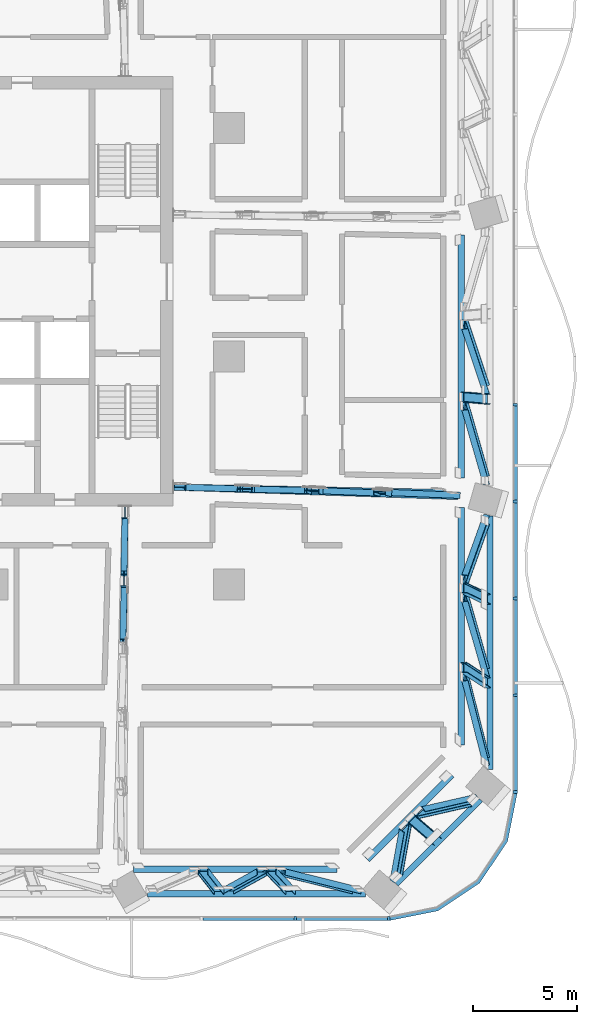
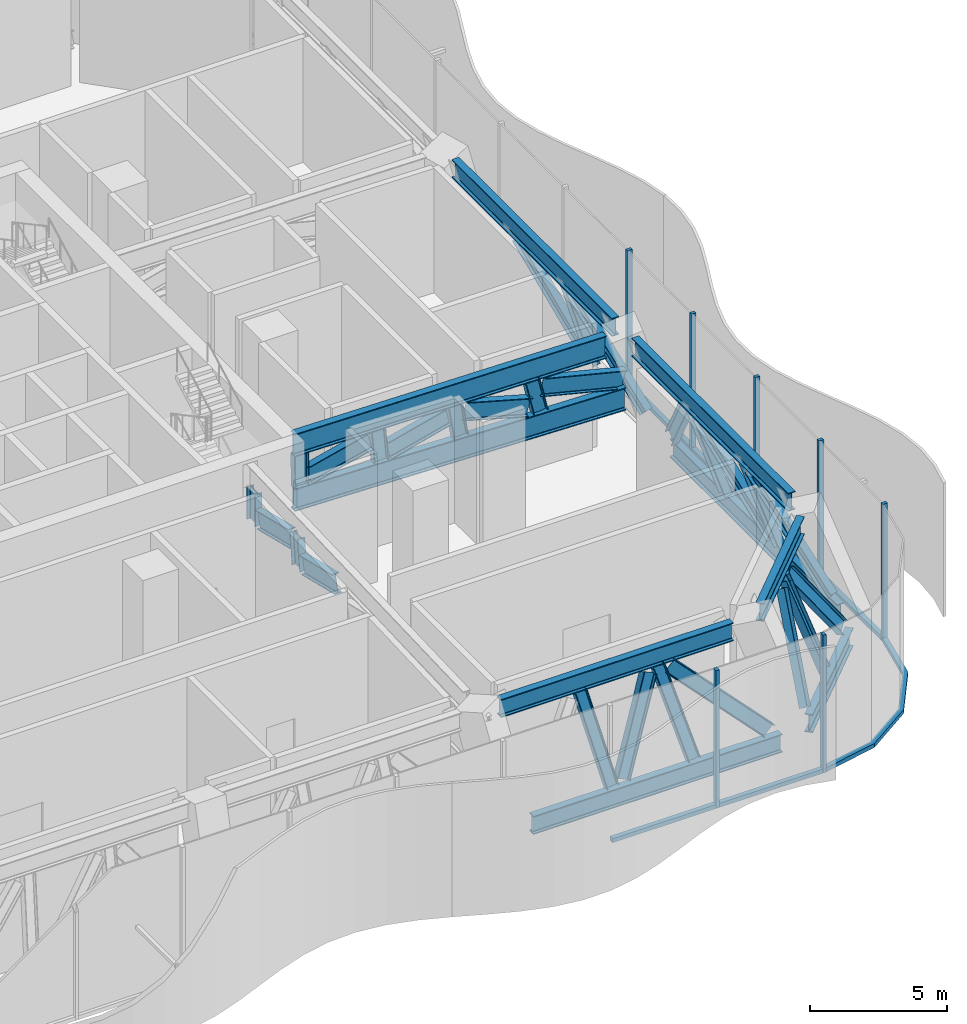
# One storey, part 4 of 32: 50 members, 3 elements without a shape of their own.
"""IFC4 building model written with IfcOpenShell, lengths in metres."""

from ifc_helpers import new_model, si_unit, direction, frame, origin, origin_2d, place, context, subcontext, project, spatial, polyline, rectangle, i_section, outline, extrude, material, material_profile, profile_set, type_object, element, aggregate, save


model = new_model("IFC4")

# Units and contexts
model_context = context("Model", 3, precision=1e-05, world=origin(), true_north=direction((0.0, 1.0)))
body_context = subcontext(model_context, "Body", "Model", "MODEL_VIEW")
ifc_project = project(units=[si_unit("LENGTHUNIT", "METRE"), si_unit("AREAUNIT", "SQUARE_METRE"), si_unit("VOLUMEUNIT", "CUBIC_METRE"), si_unit("PLANEANGLEUNIT", "RADIAN"), si_unit("MASSUNIT", "GRAM", prefix="KILO")], contexts=[model_context])

# Site, building, storey
site_placement = place(None, origin())
site = spatial("IfcSite", under=ifc_project, at=site_placement, CompositionType="ELEMENT")
building_placement = place(site_placement, origin())
building = spatial("IfcBuilding", under=site, at=building_placement, Name="Mopane Tessera Tower", CompositionType="ELEMENT")
storey_placement = place(building_placement, frame((0.0, 0.0, 88.60009765625)))
storey = spatial("IfcBuildingStorey", under=building, at=storey_placement, Name="L17", CompositionType="ELEMENT", Elevation=88.60009765625)

# Curtain wall, members
ifc_material_1 = material(Name="Aluminium frame", Category="aluminium")
curtain_wall_type = type_object("IfcCurtainWallType", Name="Plant floor unitised wall", PredefinedType="NOTDEFINED", material=ifc_material_1)
curtain_wall_1_placement = place(storey_placement, origin())
curtain_wall_1 = element("IfcCurtainWall", 1, at=curtain_wall_1_placement, inside=storey, type_object=curtain_wall_type, Name="e:cw:L17:S:0", PredefinedType="NOTDEFINED")
ifc_material_2 = material(Name="Aluminium frame", Category="aluminium")
ifc_material_profile_1 = material_profile(ifc_material_2, rectangle(XDim=0.139892578125, YDim=0.199951171875, at=origin_2d()))
ifc_profile_set_1 = profile_set([ifc_material_profile_1], Name="Aluminium frame")
member_type_1 = type_object("IfcMemberType", Name="Aluminium mullion 140 x 200", PredefinedType="MULLION", material=ifc_profile_set_1)
member_1_placement = place(storey_placement, frame((20.291015625, -27.10009765625, -0.60009765625), z_axis=(0.0, 0.0, 1.0), x_axis=(1.0, 0.0, 0.0)))
member_1 = element("IfcMember", 2, at=member_1_placement, type_object=member_type_1, Name="e:cw:L17:S:0:mu10", PredefinedType="MULLION", context=body_context, shape_type="SweptSolid", body=[
    extrude(rectangle(XDim=0.139892578125, YDim=0.199951171875, at=origin_2d()), origin(), (0.0, 0.0, 1.0), 6.14990234375),
])
member_2_placement = place(storey_placement, frame((24.800048828125, -27.10009765625, -0.60009765625), z_axis=(0.0, 0.0, 1.0), x_axis=(1.0, 0.0, 0.0)))
member_2 = element("IfcMember", 3, at=member_2_placement, type_object=member_type_1, Name="e:cw:L17:S:0:mu11", PredefinedType="MULLION", context=body_context, shape_type="SweptSolid", body=[
    extrude(rectangle(XDim=0.139892578125, YDim=0.199951171875, at=origin_2d()), origin(), (0.0, 0.0, 1.0), 6.14990234375),
])

curtain_wall_2_placement = place(storey_placement, origin())
curtain_wall_2 = element("IfcCurtainWall", 4, at=curtain_wall_2_placement, inside=storey, type_object=curtain_wall_type, Name="e:cw:L17:E:0", PredefinedType="NOTDEFINED")
member_3_placement = place(storey_placement, frame((30.89990234375, -21.0, -0.60009765625), z_axis=(0.0, 0.0, 1.0), x_axis=(0.0, 1.0, 0.0)))
member_3 = element("IfcMember", 5, at=member_3_placement, type_object=member_type_1, Name="e:cw:L17:E:0:mu0", PredefinedType="MULLION", context=body_context, shape_type="SweptSolid", body=[
    extrude(rectangle(XDim=0.139892578125, YDim=0.199951171875, at=origin_2d()), origin(), (0.0, 0.0, 1.0), 6.14990234375),
])
member_4_placement = place(storey_placement, frame((30.89990234375, -16.333251953125, -0.60009765625), z_axis=(0.0, 0.0, 1.0), x_axis=(0.0, 1.0, 0.0)))
member_4 = element("IfcMember", 6, at=member_4_placement, type_object=member_type_1, Name="e:cw:L17:E:0:mu1", PredefinedType="MULLION", context=body_context, shape_type="SweptSolid", body=[
    extrude(rectangle(XDim=0.139892578125, YDim=0.199951171875, at=origin_2d()), origin(), (0.0, 0.0, 1.0), 6.14990234375),
])
member_5_placement = place(storey_placement, frame((30.89990234375, -11.666748046875, -0.60009765625), z_axis=(0.0, 0.0, 1.0), x_axis=(0.0, 1.0, 0.0)))
member_5 = element("IfcMember", 7, at=member_5_placement, type_object=member_type_1, Name="e:cw:L17:E:0:mu2", PredefinedType="MULLION", context=body_context, shape_type="SweptSolid", body=[
    extrude(rectangle(XDim=0.139892578125, YDim=0.199951171875, at=origin_2d()), origin(), (0.0, 0.0, 1.0), 6.14990234375),
])
member_6_placement = place(storey_placement, frame((30.89990234375, -7.0, -0.60009765625), z_axis=(0.0, 0.0, 1.0), x_axis=(0.0, 1.0, 0.0)))
member_6 = element("IfcMember", 8, at=member_6_placement, type_object=member_type_1, Name="e:cw:L17:E:0:mu3", PredefinedType="MULLION", context=body_context, shape_type="SweptSolid", body=[
    extrude(rectangle(XDim=0.139892578125, YDim=0.199951171875, at=origin_2d()), origin(), (0.0, 0.0, 1.0), 6.14990234375),
])
member_7_placement = place(storey_placement, frame((30.89990234375, -2.333251953125, -0.60009765625), z_axis=(0.0, 0.0, 1.0), x_axis=(0.0, 1.0, 0.0)))
member_7 = element("IfcMember", 9, at=member_7_placement, type_object=member_type_1, Name="e:cw:L17:E:0:mu4", PredefinedType="MULLION", context=body_context, shape_type="SweptSolid", body=[
    extrude(rectangle(XDim=0.139892578125, YDim=0.199951171875, at=origin_2d()), origin(), (0.0, 0.0, 1.0), 6.14990234375),
])

# Member
ifc_material_3 = material(Name="Aluminium frame", Category="aluminium")
ifc_material_profile_2 = material_profile(ifc_material_3, rectangle(XDim=0.199951171875, YDim=0.179931640625, at=origin_2d()))
ifc_profile_set_2 = profile_set([ifc_material_profile_2], Name="Aluminium frame")
member_type_2 = type_object("IfcMemberType", Name="Aluminium transom 200 x 180", PredefinedType="USERDEFINED", material=ifc_profile_set_2)
member_8_placement = place(storey_placement, frame((15.851806640625, -27.10009765625, -0.510009765625), z_axis=(1.0, 0.0, 0.0), x_axis=(0.0, 1.0, 0.0)))
member_8 = element("IfcMember", 10, at=member_8_placement, type_object=member_type_2, Name="e:cw:L17:S:0:tr9", ObjectType="TRANSOM", PredefinedType="USERDEFINED", context=body_context, shape_type="SweptSolid", body=[
    extrude(rectangle(XDim=0.199951171875, YDim=0.179931640625, at=origin_2d()), origin(), (0.0, 0.0, 1.0), 4.369140625),
])

member_9_placement = place(storey_placement, frame((20.36083984375, -27.10009765625, -0.510009765625), z_axis=(1.0, 0.0, 0.0), x_axis=(0.0, 1.0, 0.0)))
member_9 = element("IfcMember", 11, at=member_9_placement, type_object=member_type_2, Name="e:cw:L17:S:0:tr10", ObjectType="TRANSOM", PredefinedType="USERDEFINED", context=body_context, shape_type="SweptSolid", body=[
    extrude(rectangle(XDim=0.199951171875, YDim=0.179931640625, at=origin_2d()), origin(), (0.0, 0.0, 1.0), 4.369140625),
])

aggregate(curtain_wall_1, [member_1, member_2, member_8, member_9])

# Curtain wall, member
curtain_wall_3_placement = place(storey_placement, origin())
curtain_wall_3 = element("IfcCurtainWall", 12, at=curtain_wall_3_placement, inside=storey, type_object=curtain_wall_type, Name="e:cw:L17:CS", PredefinedType="NOTDEFINED")
member_10_placement = place(storey_placement, frame((0.0, 0.0, -0.60009765625)))
member_10 = element("IfcMember", 13, at=member_10_placement, type_object=member_type_2, Name="e:cw:L17:CS:tr", ObjectType="TRANSOM", PredefinedType="USERDEFINED", context=body_context, shape_type="SweptSolid", body=[
    extrude(outline(polyline([(24.800048828125, -27.0), (27.09619140625, -26.543212890625), (29.042724609375, -25.24267578125), (30.34326171875, -23.296142578125), (30.800048828125, -21.0), (31.0, -21.0), (30.528076171875, -23.37255859375), (29.18408203125, -25.384033203125), (27.172607421875, -26.72802734375), (24.800048828125, -27.199951171875), (24.800048828125, -27.0)])), origin(), (0.0, 0.0, 1.0), 0.179931640625),
])
aggregate(curtain_wall_3, [member_10])

# Member
member_11_placement = place(storey_placement, frame((30.89990234375, -20.929931640625, -0.510009765625), z_axis=(0.0, 1.0, 0.0), x_axis=(-1.0, 0.0, 0.0)))
member_11 = element("IfcMember", 14, at=member_11_placement, type_object=member_type_2, Name="e:cw:L17:E:0:tr0", ObjectType="TRANSOM", PredefinedType="USERDEFINED", context=body_context, shape_type="SweptSolid", body=[
    extrude(rectangle(XDim=0.199951171875, YDim=0.179931640625, at=origin_2d()), origin(), (0.0, 0.0, 1.0), 4.526611328125),
])

member_12_placement = place(storey_placement, frame((30.89990234375, -16.263427734375, -0.510009765625), z_axis=(0.0, 1.0, 0.0), x_axis=(-1.0, 0.0, 0.0)))
member_12 = element("IfcMember", 15, at=member_12_placement, type_object=member_type_2, Name="e:cw:L17:E:0:tr1", ObjectType="TRANSOM", PredefinedType="USERDEFINED", context=body_context, shape_type="SweptSolid", body=[
    extrude(rectangle(XDim=0.199951171875, YDim=0.179931640625, at=origin_2d()), origin(), (0.0, 0.0, 1.0), 4.52685546875),
])

member_13_placement = place(storey_placement, frame((30.89990234375, -11.5966796875, -0.510009765625), z_axis=(0.0, 1.0, 0.0), x_axis=(-1.0, 0.0, 0.0)))
member_13 = element("IfcMember", 16, at=member_13_placement, type_object=member_type_2, Name="e:cw:L17:E:0:tr2", ObjectType="TRANSOM", PredefinedType="USERDEFINED", context=body_context, shape_type="SweptSolid", body=[
    extrude(rectangle(XDim=0.199951171875, YDim=0.179931640625, at=origin_2d()), origin(), (0.0, 0.0, 1.0), 4.526611328125),
])

member_14_placement = place(storey_placement, frame((30.89990234375, -6.929931640625, -0.510009765625), z_axis=(0.0, 1.0, 0.0), x_axis=(-1.0, 0.0, 0.0)))
member_14 = element("IfcMember", 17, at=member_14_placement, type_object=member_type_2, Name="e:cw:L17:E:0:tr3", ObjectType="TRANSOM", PredefinedType="USERDEFINED", context=body_context, shape_type="SweptSolid", body=[
    extrude(rectangle(XDim=0.199951171875, YDim=0.179931640625, at=origin_2d()), origin(), (0.0, 0.0, 1.0), 4.526611328125),
])

aggregate(curtain_wall_2, [member_3, member_4, member_5, member_6, member_7, member_11, member_12, member_13, member_14])

# Members
ifc_material_4 = material(Name="Structural steel S460", Category="steel")
ifc_material_profile_3 = material_profile(ifc_material_4, i_section(OverallWidth=0.302978515625, OverallDepth=0.81396484375, WebThickness=0.02099609375, FlangeThickness=0.0400390625, FilletRadius=0.030029296875, at=origin_2d()))
ifc_profile_set_3 = profile_set([ifc_material_profile_3], Name="Structural steel S460")
member_type_3 = type_object("IfcMemberType", Name="Belt truss chord HE 800 M", PredefinedType="CHORD", material=ifc_profile_set_3)
member_15_placement = place(storey_placement, frame((13.180908203125, -25.898193359375, 0.406982421875), z_axis=(1.0, 0.0, 0.0), x_axis=(0.0, 1.0, 0.0)))
element("IfcMember", 18, at=member_15_placement, inside=storey, type_object=member_type_3, Name="Belt truss bottom chord L17 S3-S4", PredefinedType="CHORD", context=body_context, shape_type="SweptSolid", body=[
    extrude(i_section(OverallWidth=0.302978515625, OverallDepth=0.81396484375, WebThickness=0.02099609375, FlangeThickness=0.0400390625, FilletRadius=0.030029296875, at=origin_2d()), origin(), (0.0, 0.0, 1.0), 10.508056640625),
])
member_16_placement = place(storey_placement, frame((12.490234375, -24.71435546875, 5.142822265625), z_axis=(1.0, 0.0, 0.0), x_axis=(0.0, 1.0, 0.0)))
element("IfcMember", 19, at=member_16_placement, inside=storey, type_object=member_type_3, Name="Belt truss top chord L17 S3-S4", PredefinedType="CHORD", context=body_context, shape_type="SweptSolid", body=[
    extrude(i_section(OverallWidth=0.302978515625, OverallDepth=0.81396484375, WebThickness=0.02099609375, FlangeThickness=0.0400390625, FilletRadius=0.030029296875, at=origin_2d()), origin(), (0.0, 0.0, 1.0), 9.8173828125),
])
for number, where, z_axis, x_axis, name in (
    (20, (25.150146484375, -25.429443359375, 0.406982421875), (0.707106781187, 0.707106781187, 0.0), (-0.707106781187, 0.707106781187, 0.0), "Belt truss bottom chord L17 S4-E0"),
    (21, (23.768798828125, -24.245361328125, 5.142822265625), (0.707106781187, 0.707106781187, 0.0), (-0.707106781187, 0.707106781187, 0.0), "Belt truss top chord L17 S4-E0"),
):
    element("IfcMember", number, at=place(storey_placement, frame(where, z_axis=z_axis, x_axis=x_axis)), inside=storey, type_object=member_type_3, Name=name, PredefinedType="CHORD", context=body_context, shape_type="SweptSolid", body=[
        extrude(i_section(OverallWidth=0.302978515625, OverallDepth=0.81396484375, WebThickness=0.02099609375, FlangeThickness=0.0400390625, FilletRadius=0.030029296875, at=origin_2d()), origin(), (0.0, 0.0, 1.0), 5.744873046875),
    ])
member_17_placement = place(storey_placement, frame((29.681396484375, -19.912841796875, 0.406982421875), z_axis=(0.0, 1.0, 0.0), x_axis=(-1.0, 0.0, 0.0)))
element("IfcMember", 22, at=member_17_placement, inside=storey, type_object=member_type_3, Name="Belt truss bottom chord L17 E0-E1", PredefinedType="CHORD", context=body_context, shape_type="SweptSolid", body=[
    extrude(i_section(OverallWidth=0.302978515625, OverallDepth=0.81396484375, WebThickness=0.02099609375, FlangeThickness=0.0400390625, FilletRadius=0.030029296875, at=origin_2d()), origin(), (0.0, 0.0, 1.0), 12.22802734375),
])
member_18_placement = place(storey_placement, frame((28.300048828125, -18.72900390625, 5.142822265625), z_axis=(0.0, 1.0, 0.0), x_axis=(-1.0, 0.0, 0.0)))
element("IfcMember", 23, at=member_18_placement, inside=storey, type_object=member_type_3, Name="Belt truss top chord L17 E0-E1", PredefinedType="CHORD", context=body_context, shape_type="SweptSolid", body=[
    extrude(i_section(OverallWidth=0.302978515625, OverallDepth=0.81396484375, WebThickness=0.02099609375, FlangeThickness=0.0400390625, FilletRadius=0.030029296875, at=origin_2d()), origin(), (0.0, 0.0, 1.0), 11.438720703125),
])
member_19_placement = place(storey_placement, frame((28.300048828125, -5.8525390625, 5.142822265625), z_axis=(0.0, 1.0, 0.0), x_axis=(-1.0, 0.0, 0.0)))
element("IfcMember", 24, at=member_19_placement, inside=storey, type_object=member_type_3, Name="Belt truss top chord L17 E1-E2", PredefinedType="CHORD", context=body_context, shape_type="SweptSolid", body=[
    extrude(i_section(OverallWidth=0.302978515625, OverallDepth=0.81396484375, WebThickness=0.02099609375, FlangeThickness=0.0400390625, FilletRadius=0.030029296875, at=origin_2d()), origin(), (0.0, 0.0, 1.0), 11.705078125),
])
ifc_material_5 = material(Name="Structural steel S460", Category="steel")
ifc_material_profile_4 = material_profile(ifc_material_5, i_section(OverallWidth=0.300048828125, OverallDepth=0.60009765625, WebThickness=0.015380859375, FlangeThickness=0.030029296875, FilletRadius=0.027099609375, at=origin_2d()))
ifc_profile_set_4 = profile_set([ifc_material_profile_4], Name="Structural steel S460")
member_type_4 = type_object("IfcMemberType", Name="Belt truss diagonal HE 600 B", PredefinedType="BRACE", material=ifc_profile_set_4)
member_20_placement = place(storey_placement, frame((17.060791015625, -25.76220703125, 0.950927734375), z_axis=(0.402501298803, 0.221993849827, 0.888094271517), x_axis=(-0.091567308749, 0.975048062756, -0.202229333392)))
element("IfcMember", 25, at=member_20_placement, inside=storey, type_object=member_type_4, Name="Belt truss diagonal 1 L17 S3-S4", PredefinedType="BRACE", context=body_context, shape_type="SweptSolid", body=[
    extrude(i_section(OverallWidth=0.300048828125, OverallDepth=0.60009765625, WebThickness=0.015380859375, FlangeThickness=0.030029296875, FilletRadius=0.027099609375, at=origin_2d()), origin(), (0.0, 0.0, 1.0), 4.107666015625),
])
member_21_placement = place(storey_placement, frame((19.6083984375, -24.853759765625, 4.5849609375), z_axis=(0.699650362609, -0.173288160232, -0.693152640928), x_axis=(0.123111197199, 0.984871165894, -0.121952530583)))
element("IfcMember", 26, at=member_21_placement, inside=storey, type_object=member_type_4, Name="Belt truss diagonal 2 L17 S3-S4", PredefinedType="BRACE", context=body_context, shape_type="SweptSolid", body=[
    extrude(i_section(OverallWidth=0.300048828125, OverallDepth=0.60009765625, WebThickness=0.015380859375, FlangeThickness=0.030029296875, FilletRadius=0.027099609375, at=origin_2d()), origin(), (0.0, 0.0, 1.0), 5.22265625),
])
member_22_placement = place(storey_placement, frame((25.1669921875, -25.129638671875, 0.929443359375), z_axis=(0.098851267283, 0.548569616047, 0.830240810432), x_axis=(-0.778985844771, 0.561817424332, -0.278464064761)))
element("IfcMember", 27, at=member_22_placement, inside=storey, type_object=member_type_4, Name="Belt truss diagonal 0 L17 S4-E0", PredefinedType="BRACE", context=body_context, shape_type="SweptSolid", body=[
    extrude(i_section(OverallWidth=0.300048828125, OverallDepth=0.60009765625, WebThickness=0.015380859375, FlangeThickness=0.030029296875, FilletRadius=0.027099609375, at=origin_2d()), origin(), (0.0, 0.0, 1.0), 4.445556640625),
])
member_23_placement = place(storey_placement, frame((26.29833984375, -21.9990234375, 4.620361328125), z_axis=(0.569875535143, 0.130407528995, -0.811317293558), x_axis=(-0.557621124298, 0.786576730003, -0.265246544848)))
element("IfcMember", 28, at=member_23_placement, inside=storey, type_object=member_type_4, Name="Belt truss diagonal 1 L17 S4-E0", PredefinedType="BRACE", context=body_context, shape_type="SweptSolid", body=[
    extrude(i_section(OverallWidth=0.300048828125, OverallDepth=0.60009765625, WebThickness=0.015380859375, FlangeThickness=0.030029296875, FilletRadius=0.027099609375, at=origin_2d()), origin(), (0.0, 0.0, 1.0), 4.54931640625),
])
member_24_placement = place(storey_placement, frame((29.5107421875, -19.527099609375, 0.991943359375), z_axis=(-0.188412877586, 0.739719572213, 0.645999645545), x_axis=(-0.982089908077, -0.141916811889, -0.12393155755)))
element("IfcMember", 29, at=member_24_placement, inside=storey, type_object=member_type_4, Name="Belt truss diagonal 0 L17 E0-E1", PredefinedType="BRACE", context=body_context, shape_type="SweptSolid", body=[
    extrude(i_section(OverallWidth=0.300048828125, OverallDepth=0.60009765625, WebThickness=0.015380859375, FlangeThickness=0.030029296875, FilletRadius=0.027099609375, at=origin_2d()), origin(), (0.0, 0.0, 1.0), 5.52001953125),
])
member_25_placement = place(storey_placement, frame((29.513916015625, -15.257080078125, 0.98095703125), z_axis=(-0.200403719636, 0.698327007177, 0.687151904752), x_axis=(-0.979713401539, -0.142845676318, -0.14055875498)))
element("IfcMember", 30, at=member_25_placement, inside=storey, type_object=member_type_4, Name="Belt truss diagonal 1 L17 E0-E1", PredefinedType="BRACE", context=body_context, shape_type="SweptSolid", body=[
    extrude(i_section(OverallWidth=0.300048828125, OverallDepth=0.60009765625, WebThickness=0.015380859375, FlangeThickness=0.030029296875, FilletRadius=0.027099609375, at=origin_2d()), origin(), (0.0, 0.0, 1.0), 5.221435546875),
])
member_26_placement = place(storey_placement, frame((28.470703125, -10.768310546875, 4.557861328125), z_axis=(0.220504789335, 0.616274653011, -0.756031209632), x_axis=(-0.975385891778, 0.139320539279, -0.170915620863)))
element("IfcMember", 31, at=member_26_placement, inside=storey, type_object=member_type_4, Name="Belt truss diagonal 2 L17 E0-E1", PredefinedType="BRACE", context=body_context, shape_type="SweptSolid", body=[
    extrude(i_section(OverallWidth=0.300048828125, OverallDepth=0.60009765625, WebThickness=0.015380859375, FlangeThickness=0.030029296875, FilletRadius=0.027099609375, at=origin_2d()), origin(), (0.0, 0.0, 1.0), 4.716552734375),
])
member_27_placement = place(storey_placement, frame((29.509521484375, -5.9765625, 0.995849609375), z_axis=(-0.200932231115, 0.696479987173, 0.688869992064), x_axis=(-0.979605144172, -0.14286116767, -0.141295606028)))
element("IfcMember", 32, at=member_27_placement, inside=storey, type_object=member_type_4, Name="Belt truss diagonal 0 L17 E1-E2", PredefinedType="BRACE", context=body_context, shape_type="SweptSolid", body=[
    extrude(i_section(OverallWidth=0.300048828125, OverallDepth=0.60009765625, WebThickness=0.015380859375, FlangeThickness=0.030029296875, FilletRadius=0.027099609375, at=origin_2d()), origin(), (0.0, 0.0, 1.0), 5.1650390625),
])
member_28_placement = place(storey_placement, frame((29.5126953125, -1.611572265625, 0.9853515625), z_axis=(-0.213786995465, 0.645810715722, 0.732955414762), x_axis=(-0.976880299996, -0.141328138786, -0.160409590319)))
element("IfcMember", 33, at=member_28_placement, inside=storey, type_object=member_type_4, Name="Belt truss diagonal 1 L17 E1-E2", PredefinedType="BRACE", context=body_context, shape_type="SweptSolid", body=[
    extrude(i_section(OverallWidth=0.300048828125, OverallDepth=0.60009765625, WebThickness=0.015380859375, FlangeThickness=0.030029296875, FilletRadius=0.027099609375, at=origin_2d()), origin(), (0.0, 0.0, 1.0), 4.883056640625),
])
ifc_material_6 = material(Name="Structural steel S460", Category="steel")
ifc_material_profile_5 = material_profile(ifc_material_6, i_section(OverallWidth=0.300048828125, OverallDepth=0.5, WebThickness=0.014404296875, FlangeThickness=0.028076171875, FilletRadius=0.027099609375, at=origin_2d()))
ifc_profile_set_5 = profile_set([ifc_material_profile_5], Name="Structural steel S460")
member_type_5 = type_object("IfcMemberType", Name="Belt truss post HE 500 B", PredefinedType="POST", material=ifc_profile_set_5)
member_29_placement = place(storey_placement, frame((16.61669921875, -25.79638671875, 0.81396484375), z_axis=(-0.187971798215, 0.238212288303, 0.952849153212), x_axis=(0.046211648461, 0.971213104539, -0.233686946829)))
element("IfcMember", 34, at=member_29_placement, inside=storey, type_object=member_type_5, Name="Belt truss post 1 L17 S3-S4", PredefinedType="POST", context=body_context, shape_type="SweptSolid", body=[
    extrude(i_section(OverallWidth=0.300048828125, OverallDepth=0.5, WebThickness=0.014404296875, FlangeThickness=0.028076171875, FilletRadius=0.027099609375, at=origin_2d()), origin(), (0.0, 0.0, 1.0), 4.115966796875),
])
member_30_placement = place(storey_placement, frame((20.066650390625, -25.79638671875, 0.81396484375), z_axis=(-0.225241193475, 0.236303195662, 0.945212782648), x_axis=(0.054739580111, 0.971679370141, -0.229875575064)))
element("IfcMember", 35, at=member_30_placement, inside=storey, type_object=member_type_5, Name="Belt truss post 2 L17 S3-S4", PredefinedType="POST", context=body_context, shape_type="SweptSolid", body=[
    extrude(i_section(OverallWidth=0.300048828125, OverallDepth=0.5, WebThickness=0.014404296875, FlangeThickness=0.028076171875, FilletRadius=0.027099609375, at=origin_2d()), origin(), (0.0, 0.0, 1.0), 4.149169921875),
])
member_31_placement = place(storey_placement, frame((27.062744140625, -23.29638671875, 0.81396484375), z_axis=(-0.272304312677, 0.233370490762, 0.933481963049), x_axis=(-0.652958739666, 0.667758104727, -0.357412923472)))
element("IfcMember", 36, at=member_31_placement, inside=storey, type_object=member_type_5, Name="Belt truss post 1 L17 S4-E0", PredefinedType="POST", context=body_context, shape_type="SweptSolid", body=[
    extrude(i_section(OverallWidth=0.300048828125, OverallDepth=0.5, WebThickness=0.014404296875, FlangeThickness=0.028076171875, FilletRadius=0.027099609375, at=origin_2d()), origin(), (0.0, 0.0, 1.0), 4.201416015625),
])
member_32_placement = place(storey_placement, frame((29.562744140625, -15.73486328125, 0.81396484375), z_axis=(-0.275529715303, 0.178688605379, 0.944538913065), x_axis=(-0.961292554793, -0.051207070691, -0.270729496012)))
element("IfcMember", 37, at=member_32_placement, inside=storey, type_object=member_type_5, Name="Belt truss post 1 L17 E0-E1", PredefinedType="POST", context=body_context, shape_type="SweptSolid", body=[
    extrude(i_section(OverallWidth=0.300048828125, OverallDepth=0.5, WebThickness=0.014404296875, FlangeThickness=0.028076171875, FilletRadius=0.027099609375, at=origin_2d()), origin(), (0.0, 0.0, 1.0), 4.152099609375),
])
member_33_placement = place(storey_placement, frame((29.562744140625, -11.712646484375, 0.81396484375), z_axis=(-0.277512695679, 0.133959393433, 0.951336735677), x_axis=(-0.96072196985, -0.038715535567, -0.274798842708)))
element("IfcMember", 38, at=member_33_placement, inside=storey, type_object=member_type_5, Name="Belt truss post 2 L17 E0-E1", PredefinedType="POST", context=body_context, shape_type="SweptSolid", body=[
    extrude(i_section(OverallWidth=0.300048828125, OverallDepth=0.5, WebThickness=0.014404296875, FlangeThickness=0.028076171875, FilletRadius=0.027099609375, at=origin_2d()), origin(), (0.0, 0.0, 1.0), 4.12255859375),
])
member_34_placement = place(storey_placement, frame((29.562744140625, -2.057861328125, 0.81396484375), z_axis=(-0.279957937948, 0.023718160769, 0.959719230728), x_axis=(-0.960012261999, -0.007019712455, -0.279869934878)))
element("IfcMember", 39, at=member_34_placement, inside=storey, type_object=member_type_5, Name="Belt truss post 1 L17 E1-E2", PredefinedType="POST", context=body_context, shape_type="SweptSolid", body=[
    extrude(i_section(OverallWidth=0.300048828125, OverallDepth=0.5, WebThickness=0.014404296875, FlangeThickness=0.028076171875, FilletRadius=0.027099609375, at=origin_2d()), origin(), (0.0, 0.0, 1.0), 4.08642578125),
])
ifc_material_7 = material(Name="Structural steel S460", Category="steel")
ifc_material_profile_6 = material_profile(ifc_material_7, i_section(OverallWidth=0.302001953125, OverallDepth=1.008056640625, WebThickness=0.02099609375, FlangeThickness=0.0400390625, FilletRadius=0.030029296875, at=origin_2d()))
ifc_profile_set_6 = profile_set([ifc_material_profile_6], Name="Structural steel S460")
member_type_6 = type_object("IfcMemberType", Name="Outrigger truss chord HE 1000 M", PredefinedType="CHORD", material=ifc_profile_set_6)
member_35_placement = place(storey_placement, frame((14.41943359375, -6.300537109375, 2.60400390625), z_axis=(0.999456173997, -0.032975085422, 0.0), x_axis=(0.032975085422, 0.999456173997, 0.0)))
element("IfcMember", 40, at=member_35_placement, inside=storey, type_object=member_type_6, Name="Outrigger truss bottom chord L17 E1", PredefinedType="CHORD", context=body_context, shape_type="SweptSolid", body=[
    extrude(i_section(OverallWidth=0.302001953125, OverallDepth=1.008056640625, WebThickness=0.02099609375, FlangeThickness=0.0400390625, FilletRadius=0.030029296875, at=origin_2d()), origin(), (0.0, 0.0, 1.0), 13.734130859375),
])
member_36_placement = place(storey_placement, frame((14.41943359375, -6.30029296875, 5.0458984375), z_axis=(0.999798504225, -0.02007363818, 0.0), x_axis=(0.02007363818, 0.999798504225, 0.0)))
element("IfcMember", 41, at=member_36_placement, inside=storey, type_object=member_type_6, Name="Outrigger truss top chord L17 E1", PredefinedType="CHORD", context=body_context, shape_type="SweptSolid", body=[
    extrude(i_section(OverallWidth=0.302001953125, OverallDepth=1.008056640625, WebThickness=0.02099609375, FlangeThickness=0.0400390625, FilletRadius=0.030029296875, at=origin_2d()), origin(), (0.0, 0.0, 1.0), 13.013671875),
])
ifc_material_8 = material(Name="Structural steel S460", Category="steel")
ifc_material_profile_7 = material_profile(ifc_material_8, i_section(OverallWidth=0.300048828125, OverallDepth=0.800048828125, WebThickness=0.017578125, FlangeThickness=0.032958984375, FilletRadius=0.030029296875, at=origin_2d()))
ifc_profile_set_7 = profile_set([ifc_material_profile_7], Name="Structural steel S460")
member_type_7 = type_object("IfcMemberType", Name="Outrigger truss diagonal HE 800 B", PredefinedType="BRACE", material=ifc_profile_set_7)
member_37_placement = place(storey_placement, frame((15.06982421875, -6.319091796875, 3.484619140625), z_axis=(0.965418337109, -0.02309925206, 0.259680301385), x_axis=(0.024530494383, 0.999696500777, -0.002271822843)))
element("IfcMember", 42, at=member_37_placement, inside=storey, type_object=member_type_7, Name="Outrigger truss diagonal 0 L17 E1", PredefinedType="BRACE", context=body_context, shape_type="SweptSolid", body=[
    extrude(i_section(OverallWidth=0.300048828125, OverallDepth=0.800048828125, WebThickness=0.017578125, FlangeThickness=0.032958984375, FilletRadius=0.030029296875, at=origin_2d()), origin(), (0.0, 0.0, 1.0), 2.62109375),
])
member_38_placement = place(storey_placement, frame((18.355224609375, -6.41259765625, 3.484619140625), z_axis=(0.964312221975, -0.018473414214, 0.264122455533), x_axis=(0.020118371237, 0.99979139368, -0.003524239258)))
element("IfcMember", 43, at=member_38_placement, inside=storey, type_object=member_type_7, Name="Outrigger truss diagonal 1 L17 E1", PredefinedType="BRACE", context=body_context, shape_type="SweptSolid", body=[
    extrude(i_section(OverallWidth=0.300048828125, OverallDepth=0.800048828125, WebThickness=0.017578125, FlangeThickness=0.032958984375, FilletRadius=0.030029296875, at=origin_2d()), origin(), (0.0, 0.0, 1.0), 2.5771484375),
])
member_39_placement = place(storey_placement, frame((21.540771484375, -6.4775390625, 4.165283203125), z_axis=(0.968457820328, -0.036945821748, -0.246423327834), x_axis=(0.037812500494, 0.999284112271, -0.001215635228)))
element("IfcMember", 44, at=member_39_placement, inside=storey, type_object=member_type_7, Name="Outrigger truss diagonal 2 L17 E1", PredefinedType="BRACE", context=body_context, shape_type="SweptSolid", body=[
    extrude(i_section(OverallWidth=0.300048828125, OverallDepth=0.800048828125, WebThickness=0.017578125, FlangeThickness=0.032958984375, FilletRadius=0.030029296875, at=origin_2d()), origin(), (0.0, 0.0, 1.0), 2.76220703125),
])
member_40_placement = place(storey_placement, frame((24.770263671875, -6.55810546875, 4.161376953125), z_axis=(0.975593418128, -0.040016771548, -0.215907712922), x_axis=(0.040611999871, 0.999173578677, -0.001680815653)))
element("IfcMember", 45, at=member_40_placement, inside=storey, type_object=member_type_7, Name="Outrigger truss diagonal 3 L17 E1", PredefinedType="BRACE", context=body_context, shape_type="SweptSolid", body=[
    extrude(i_section(OverallWidth=0.300048828125, OverallDepth=0.800048828125, WebThickness=0.017578125, FlangeThickness=0.032958984375, FilletRadius=0.030029296875, at=origin_2d()), origin(), (0.0, 0.0, 1.0), 3.471435546875),
])
member_41_placement = place(storey_placement, frame((12.086181640625, -7.868408203125, 3.48486328125), z_axis=(-0.017860030287, -0.96673138298, 0.255169458359), x_axis=(0.999839952201, -0.017535001129, 0.003548763017)))
element("IfcMember", 46, at=member_41_placement, inside=storey, type_object=member_type_7, Name="Outrigger truss diagonal 0 L17 S3", PredefinedType="BRACE", context=body_context, shape_type="SweptSolid", body=[
    extrude(i_section(OverallWidth=0.300048828125, OverallDepth=0.800048828125, WebThickness=0.017578125, FlangeThickness=0.032958984375, FilletRadius=0.030029296875, at=origin_2d()), origin(), (0.0, 0.0, 1.0), 2.66552734375),
])
member_42_placement = place(storey_placement, frame((12.048828125, -11.189453125, 3.48486328125), z_axis=(-0.025011134406, -0.965800323395, 0.258077853537), x_axis=(0.999686621813, -0.024434314123, 0.005442652134)))
element("IfcMember", 47, at=member_42_placement, inside=storey, type_object=member_type_7, Name="Outrigger truss diagonal 1 L17 S3", PredefinedType="BRACE", context=body_context, shape_type="SweptSolid", body=[
    extrude(i_section(OverallWidth=0.300048828125, OverallDepth=0.800048828125, WebThickness=0.017578125, FlangeThickness=0.032958984375, FilletRadius=0.030029296875, at=origin_2d()), origin(), (0.0, 0.0, 1.0), 2.635498046875),
])
ifc_material_9 = material(Name="Structural steel S460", Category="steel")
ifc_material_profile_8 = material_profile(ifc_material_9, i_section(OverallWidth=0.300048828125, OverallDepth=0.60009765625, WebThickness=0.015380859375, FlangeThickness=0.030029296875, FilletRadius=0.027099609375, at=origin_2d()))
ifc_profile_set_8 = profile_set([ifc_material_profile_8], Name="Structural steel S460")
member_type_8 = type_object("IfcMemberType", Name="Outrigger truss post HE 600 B", PredefinedType="POST", material=ifc_profile_set_8)
member_43_placement = place(storey_placement, frame((14.717041015625, -6.3095703125, 3.10791015625), z_axis=(-0.006298810417, 0.001702381194, 0.999978713216), x_axis=(0.018651763548, 0.999824784978, -0.00158463272)))
element("IfcMember", 48, at=member_43_placement, inside=storey, type_object=member_type_8, Name="Outrigger truss post 0 L17 E1", PredefinedType="POST", context=body_context, shape_type="SweptSolid", body=[
    extrude(i_section(OverallWidth=0.300048828125, OverallDepth=0.60009765625, WebThickness=0.015380859375, FlangeThickness=0.030029296875, FilletRadius=0.027099609375, at=origin_2d()), origin(), (0.0, 0.0, 1.0), 1.43408203125),
])
member_44_placement = place(storey_placement, frame((18.027587890625, -6.410400390625, 3.10791015625), z_axis=(-0.072823826365, 0.020879558608, 0.997126237919), x_axis=(0.035240404244, 0.999210393821, -0.018349462891)))
element("IfcMember", 49, at=member_44_placement, inside=storey, type_object=member_type_8, Name="Outrigger truss post 1 L17 E1", PredefinedType="POST", context=body_context, shape_type="SweptSolid", body=[
    extrude(i_section(OverallWidth=0.300048828125, OverallDepth=0.60009765625, WebThickness=0.015380859375, FlangeThickness=0.030029296875, FilletRadius=0.027099609375, at=origin_2d()), origin(), (0.0, 0.0, 1.0), 1.438232421875),
])
member_45_placement = place(storey_placement, frame((21.338134765625, -6.51123046875, 3.10791015625), z_axis=(-0.138149169762, 0.039591530359, 0.989619784371), x_axis=(0.038622380555, 0.998656006658, -0.03456142484)))
element("IfcMember", 50, at=member_45_placement, inside=storey, type_object=member_type_8, Name="Outrigger truss post 2 L17 E1", PredefinedType="POST", context=body_context, shape_type="SweptSolid", body=[
    extrude(i_section(OverallWidth=0.300048828125, OverallDepth=0.60009765625, WebThickness=0.015380859375, FlangeThickness=0.030029296875, FilletRadius=0.027099609375, at=origin_2d()), origin(), (0.0, 0.0, 1.0), 1.44921875),
])
member_46_placement = place(storey_placement, frame((24.648681640625, -6.61181640625, 3.10791015625), z_axis=(-0.201581198149, 0.057594628043, 0.977777009023), x_axis=(0.043296520176, 0.997817864522, -0.049848977731)))
element("IfcMember", 51, at=member_46_placement, inside=storey, type_object=member_type_8, Name="Outrigger truss post 3 L17 E1", PredefinedType="POST", context=body_context, shape_type="SweptSolid", body=[
    extrude(i_section(OverallWidth=0.300048828125, OverallDepth=0.60009765625, WebThickness=0.015380859375, FlangeThickness=0.030029296875, FilletRadius=0.027099609375, at=origin_2d()), origin(), (0.0, 0.0, 1.0), 1.466796875),
])
member_47_placement = place(storey_placement, frame((12.091064453125, -7.513427734375, 3.10791015625), z_axis=(-0.002553594696, 0.004255991159, 0.999987682771), x_axis=(0.999962333373, 0.008306058591, 0.002518179015)))
element("IfcMember", 52, at=member_47_placement, inside=storey, type_object=member_type_8, Name="Outrigger truss post 0 L17 S3", PredefinedType="POST", context=body_context, shape_type="SweptSolid", body=[
    extrude(i_section(OverallWidth=0.300048828125, OverallDepth=0.60009765625, WebThickness=0.015380859375, FlangeThickness=0.030029296875, FilletRadius=0.027099609375, at=origin_2d()), origin(), (0.0, 0.0, 1.0), 1.43408203125),
])
member_48_placement = place(storey_placement, frame((12.06396484375, -10.85205078125, 3.10791015625), z_axis=(-0.029571079331, 0.050644722073, 0.998278850519), x_axis=(0.99955608682, -0.002129164085, 0.029716930542)))
element("IfcMember", 53, at=member_48_placement, inside=storey, type_object=member_type_8, Name="Outrigger truss post 1 L17 S3", PredefinedType="POST", context=body_context, shape_type="SweptSolid", body=[
    extrude(i_section(OverallWidth=0.300048828125, OverallDepth=0.60009765625, WebThickness=0.015380859375, FlangeThickness=0.030029296875, FilletRadius=0.027099609375, at=origin_2d()), origin(), (0.0, 0.0, 1.0), 1.4365234375),
])

save(model, "model.ifc")
